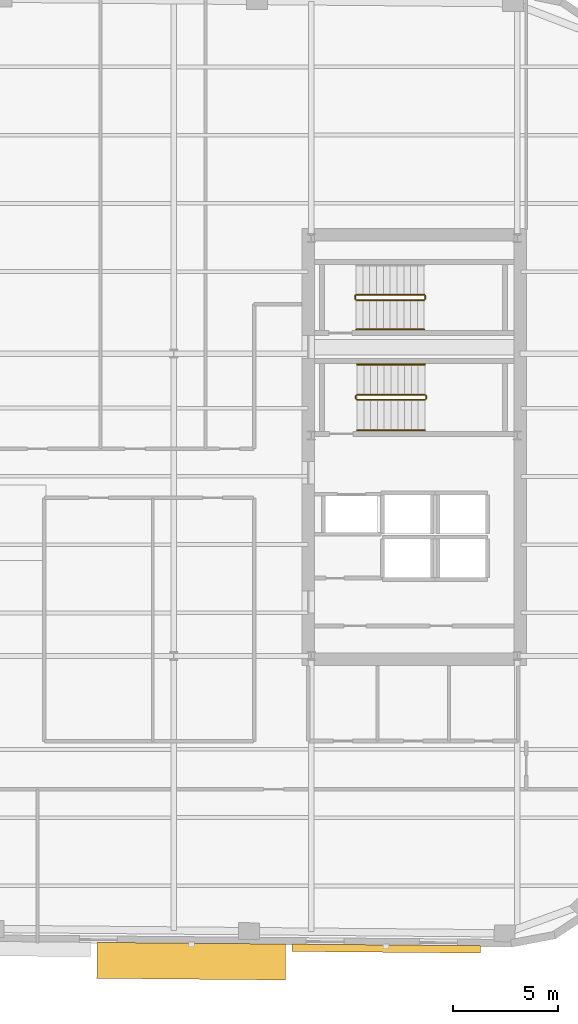
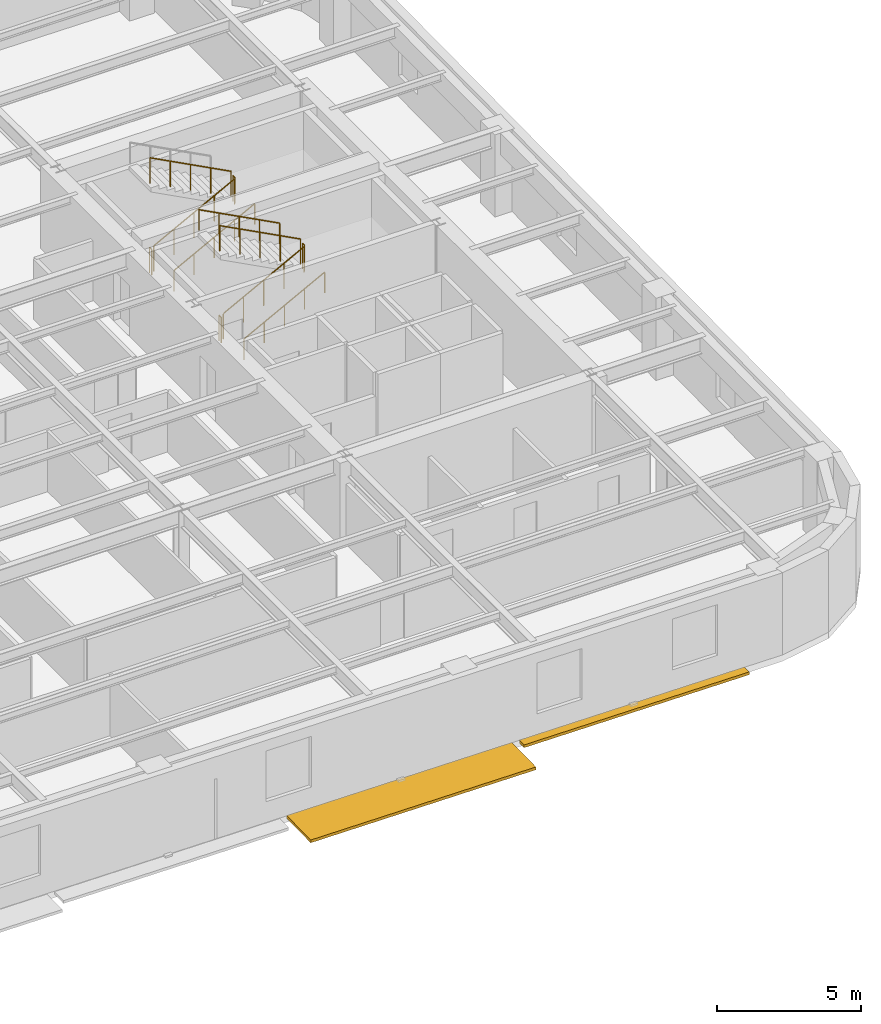
# One storey, part 10 of 11: 11 railings, 2 shading devices.
"""IFC4 building model written with IfcOpenShell, lengths in metres."""

from ifc_helpers import new_model, si_unit, direction, frame, origin, origin_2d, place, context, subcontext, project, spatial, rectangle, circle, extrude, material, type_object, element, save


model = new_model("IFC4")

# Units and contexts
model_context = context("Model", 3, precision=1e-05, world=origin(), true_north=direction((0.0, 1.0)))
body_context = subcontext(model_context, "Body", "Model", "MODEL_VIEW")
ifc_project = project(units=[si_unit("LENGTHUNIT", "METRE"), si_unit("AREAUNIT", "SQUARE_METRE"), si_unit("VOLUMEUNIT", "CUBIC_METRE"), si_unit("PLANEANGLEUNIT", "RADIAN"), si_unit("MASSUNIT", "GRAM", prefix="KILO")], contexts=[model_context])

# Site, building, storey
site_placement = place(None, origin())
site = spatial("IfcSite", under=ifc_project, at=site_placement, CompositionType="ELEMENT")
building_placement = place(site_placement, origin())
building = spatial("IfcBuilding", under=site, at=building_placement, Name="Kolvaren Arena Tower", CompositionType="ELEMENT")
storey_placement = place(building_placement, frame((0.0, 0.0, 180.949951171875)))
storey = spatial("IfcBuildingStorey", under=building, at=storey_placement, Name="L43", CompositionType="ELEMENT", Elevation=180.949951171875)

# Railings
ifc_material_1 = material(Name="Painted galvanized steel", Category="steel")
railing_type_1 = type_object("IfcRailingType", Name="GUARD-ST-110", PredefinedType="GUARDRAIL", material=ifc_material_1)
railing_1_placement = place(storey_placement, frame((52.719970703125, 31.639892578125, 0.17041015625)))
element("IfcRailing", 1, at=railing_1_placement, inside=storey, type_object=railing_type_1, Name="L43 ST-E1 stair guard 1", PredefinedType="GUARDRAIL", context=body_context, shape_type="SweptSolid", body=[
    extrude(circle(Radius=0.02392578125, at=origin_2d()), frame((0.0, 0.0, 1.076171875), z_axis=(0.884993431791, 0.0, 0.465603506952), x_axis=(0.0, 1.0, 0.0)), (0.0, 0.0, 1.0), 3.6611328125),
    extrude(circle(Radius=0.02099609375, at=origin_2d()), origin(), (0.0, 0.0, 1.0), 1.052001953125),
    extrude(circle(Radius=0.02099609375, at=origin_2d()), frame((0.81005859375, 0.0, 0.42626953125)), (0.0, 0.0, 1.0), 1.052001953125),
    extrude(circle(Radius=0.02099609375, at=origin_2d()), frame((1.6201171875, 0.0, 0.852294921875)), (0.0, 0.0, 1.0), 1.052001953125),
    extrude(circle(Radius=0.02099609375, at=origin_2d()), frame((2.429931640625, 0.0, 1.2783203125)), (0.0, 0.0, 1.0), 1.052001953125),
    extrude(circle(Radius=0.02099609375, at=origin_2d()), frame((3.239990234375, 0.0, 1.70458984375)), (0.0, 0.0, 1.0), 1.052001953125),
])
railing_2_placement = place(storey_placement, frame((56.010009765625, 31.68994140625, 1.875)))
element("IfcRailing", 2, at=railing_2_placement, inside=storey, type_object=railing_type_1, Name="L43 ST-E1 stair guard 2", PredefinedType="GUARDRAIL", context=body_context, shape_type="SweptSolid", body=[
    extrude(circle(Radius=0.02392578125, at=origin_2d()), frame((0.0, 0.0, 1.076171875), z_axis=(0.0, 1.0, 0.0), x_axis=(-1.0, 0.0, 0.0)), (0.0, 0.0, 1.0), 0.150146484375),
    extrude(circle(Radius=0.02099609375, at=origin_2d()), origin(), (0.0, 0.0, 1.0), 1.052001953125),
    extrude(circle(Radius=0.02099609375, at=origin_2d()), frame((0.0, 0.150146484375, 0.0)), (0.0, 0.0, 1.0), 1.052001953125),
])
railing_3_placement = place(storey_placement, frame((55.9599609375, 31.889892578125, 2.04541015625)))
element("IfcRailing", 3, at=railing_3_placement, inside=storey, type_object=railing_type_1, Name="L43 ST-E1 stair guard 3", PredefinedType="GUARDRAIL", context=body_context, shape_type="SweptSolid", body=[
    extrude(circle(Radius=0.02392578125, at=origin_2d()), frame((0.0, 0.0, 1.076171875), z_axis=(-0.884993431791, 0.0, 0.465603506952), x_axis=(0.0, -1.0, 0.0)), (0.0, 0.0, 1.0), 3.6611328125),
    extrude(circle(Radius=0.02099609375, at=origin_2d()), origin(), (0.0, 0.0, 1.0), 1.052001953125),
    extrude(circle(Radius=0.02099609375, at=origin_2d()), frame((-0.81005859375, 0.0, 0.42626953125)), (0.0, 0.0, 1.0), 1.052001953125),
    extrude(circle(Radius=0.02099609375, at=origin_2d()), frame((-1.6201171875, 0.0, 0.852294921875)), (0.0, 0.0, 1.0), 1.052001953125),
    extrude(circle(Radius=0.02099609375, at=origin_2d()), frame((-2.429931640625, 0.0, 1.2783203125)), (0.0, 0.0, 1.0), 1.052001953125),
    extrude(circle(Radius=0.02099609375, at=origin_2d()), frame((-3.239990234375, 0.0, 1.70458984375)), (0.0, 0.0, 1.0), 1.052001953125),
])
railing_4_placement = place(storey_placement, frame((52.669921875, 31.68994140625, 0.0)))
element("IfcRailing", 4, at=railing_4_placement, inside=storey, type_object=railing_type_1, Name="L43 ST-E1 stair guard 4", PredefinedType="GUARDRAIL", context=body_context, shape_type="SweptSolid", body=[
    extrude(circle(Radius=0.02392578125, at=origin_2d()), frame((0.0, 0.0, 1.076171875), z_axis=(0.0, 1.0, 0.0), x_axis=(-1.0, 0.0, 0.0)), (0.0, 0.0, 1.0), 0.150146484375),
    extrude(circle(Radius=0.02099609375, at=origin_2d()), origin(), (0.0, 0.0, 1.0), 1.052001953125),
    extrude(circle(Radius=0.02099609375, at=origin_2d()), frame((0.0, 0.150146484375, 0.0)), (0.0, 0.0, 1.0), 1.052001953125),
])
railing_5_placement = place(storey_placement, frame((52.679931640625, 36.39990234375, 0.17041015625)))
element("IfcRailing", 5, at=railing_5_placement, inside=storey, type_object=railing_type_1, Name="L43 ST-E2 stair guard 1", PredefinedType="GUARDRAIL", context=body_context, shape_type="SweptSolid", body=[
    extrude(circle(Radius=0.02392578125, at=origin_2d()), frame((0.0, 0.0, 1.076171875), z_axis=(0.884993431791, 0.0, 0.465603506952), x_axis=(0.0, 1.0, 0.0)), (0.0, 0.0, 1.0), 3.6611328125),
    extrude(circle(Radius=0.02099609375, at=origin_2d()), origin(), (0.0, 0.0, 1.0), 1.052001953125),
    extrude(circle(Radius=0.02099609375, at=origin_2d()), frame((0.81005859375, 0.0, 0.42626953125)), (0.0, 0.0, 1.0), 1.052001953125),
    extrude(circle(Radius=0.02099609375, at=origin_2d()), frame((1.6201171875, 0.0, 0.852294921875)), (0.0, 0.0, 1.0), 1.052001953125),
    extrude(circle(Radius=0.02099609375, at=origin_2d()), frame((2.429931640625, 0.0, 1.2783203125)), (0.0, 0.0, 1.0), 1.052001953125),
    extrude(circle(Radius=0.02099609375, at=origin_2d()), frame((3.239990234375, 0.0, 1.70458984375)), (0.0, 0.0, 1.0), 1.052001953125),
])
railing_6_placement = place(storey_placement, frame((55.969970703125, 36.449951171875, 1.875)))
element("IfcRailing", 6, at=railing_6_placement, inside=storey, type_object=railing_type_1, Name="L43 ST-E2 stair guard 2", PredefinedType="GUARDRAIL", context=body_context, shape_type="SweptSolid", body=[
    extrude(circle(Radius=0.02392578125, at=origin_2d()), frame((0.0, 0.0, 1.076171875), z_axis=(0.0, 1.0, 0.0), x_axis=(-1.0, 0.0, 0.0)), (0.0, 0.0, 1.0), 0.150146484375),
    extrude(circle(Radius=0.02099609375, at=origin_2d()), origin(), (0.0, 0.0, 1.0), 1.052001953125),
    extrude(circle(Radius=0.02099609375, at=origin_2d()), frame((0.0, 0.150146484375, 0.0)), (0.0, 0.0, 1.0), 1.052001953125),
])
railing_7_placement = place(storey_placement, frame((55.919921875, 36.64990234375, 2.04541015625)))
element("IfcRailing", 7, at=railing_7_placement, inside=storey, type_object=railing_type_1, Name="L43 ST-E2 stair guard 3", PredefinedType="GUARDRAIL", context=body_context, shape_type="SweptSolid", body=[
    extrude(circle(Radius=0.02392578125, at=origin_2d()), frame((0.0, 0.0, 1.076171875), z_axis=(-0.884993431791, 0.0, 0.465603506952), x_axis=(0.0, -1.0, 0.0)), (0.0, 0.0, 1.0), 3.6611328125),
    extrude(circle(Radius=0.02099609375, at=origin_2d()), origin(), (0.0, 0.0, 1.0), 1.052001953125),
    extrude(circle(Radius=0.02099609375, at=origin_2d()), frame((-0.81005859375, 0.0, 0.42626953125)), (0.0, 0.0, 1.0), 1.052001953125),
    extrude(circle(Radius=0.02099609375, at=origin_2d()), frame((-1.6201171875, 0.0, 0.852294921875)), (0.0, 0.0, 1.0), 1.052001953125),
    extrude(circle(Radius=0.02099609375, at=origin_2d()), frame((-2.429931640625, 0.0, 1.2783203125)), (0.0, 0.0, 1.0), 1.052001953125),
    extrude(circle(Radius=0.02099609375, at=origin_2d()), frame((-3.239990234375, 0.0, 1.70458984375)), (0.0, 0.0, 1.0), 1.052001953125),
])
railing_8_placement = place(storey_placement, frame((52.6298828125, 36.449951171875, 0.0)))
element("IfcRailing", 8, at=railing_8_placement, inside=storey, type_object=railing_type_1, Name="L43 ST-E2 stair guard 4", PredefinedType="GUARDRAIL", context=body_context, shape_type="SweptSolid", body=[
    extrude(circle(Radius=0.02392578125, at=origin_2d()), frame((0.0, 0.0, 1.076171875), z_axis=(0.0, 1.0, 0.0), x_axis=(-1.0, 0.0, 0.0)), (0.0, 0.0, 1.0), 0.150146484375),
    extrude(circle(Radius=0.02099609375, at=origin_2d()), origin(), (0.0, 0.0, 1.0), 1.052001953125),
    extrude(circle(Radius=0.02099609375, at=origin_2d()), frame((0.0, 0.150146484375, 0.0)), (0.0, 0.0, 1.0), 1.052001953125),
])
ifc_material_2 = material(Name="Brushed stainless steel handrail", Category="steel")
railing_type_2 = type_object("IfcRailingType", Name="HRAIL-900", PredefinedType="HANDRAIL", material=ifc_material_2)
railing_9_placement = place(storey_placement, frame((52.719970703125, 30.199951171875, 0.17041015625)))
element("IfcRailing", 9, at=railing_9_placement, inside=storey, type_object=railing_type_2, Name="L43 ST-E1 stair handrail 1", PredefinedType="HANDRAIL", context=body_context, shape_type="SweptSolid", body=[
    extrude(circle(Radius=0.02392578125, at=origin_2d()), frame((0.0, 0.0, 0.8759765625), z_axis=(0.884993431791, 0.0, 0.465603506952), x_axis=(0.0, 1.0, 0.0)), (0.0, 0.0, 1.0), 3.6611328125),
    extrude(circle(Radius=0.02099609375, at=origin_2d()), origin(), (0.0, 0.0, 1.0), 0.851806640625),
    extrude(circle(Radius=0.02099609375, at=origin_2d()), frame((0.81005859375, 0.0, 0.42626953125)), (0.0, 0.0, 1.0), 0.851806640625),
    extrude(circle(Radius=0.02099609375, at=origin_2d()), frame((1.6201171875, 0.0, 0.852294921875)), (0.0, 0.0, 1.0), 0.851806640625),
    extrude(circle(Radius=0.02099609375, at=origin_2d()), frame((2.429931640625, 0.0, 1.2783203125)), (0.0, 0.0, 1.0), 0.851806640625),
    extrude(circle(Radius=0.02099609375, at=origin_2d()), frame((3.239990234375, 0.0, 1.70458984375)), (0.0, 0.0, 1.0), 0.851806640625),
])
railing_10_placement = place(storey_placement, frame((55.9599609375, 33.330078125, 2.04541015625)))
element("IfcRailing", 10, at=railing_10_placement, inside=storey, type_object=railing_type_2, Name="L43 ST-E1 stair handrail 2", PredefinedType="HANDRAIL", context=body_context, shape_type="SweptSolid", body=[
    extrude(circle(Radius=0.02392578125, at=origin_2d()), frame((0.0, 0.0, 0.8759765625), z_axis=(-0.884993431791, 0.0, 0.465603506952), x_axis=(0.0, -1.0, 0.0)), (0.0, 0.0, 1.0), 3.6611328125),
    extrude(circle(Radius=0.02099609375, at=origin_2d()), origin(), (0.0, 0.0, 1.0), 0.851806640625),
    extrude(circle(Radius=0.02099609375, at=origin_2d()), frame((-0.81005859375, 0.0, 0.42626953125)), (0.0, 0.0, 1.0), 0.851806640625),
    extrude(circle(Radius=0.02099609375, at=origin_2d()), frame((-1.6201171875, 0.0, 0.852294921875)), (0.0, 0.0, 1.0), 0.851806640625),
    extrude(circle(Radius=0.02099609375, at=origin_2d()), frame((-2.429931640625, 0.0, 1.2783203125)), (0.0, 0.0, 1.0), 0.851806640625),
    extrude(circle(Radius=0.02099609375, at=origin_2d()), frame((-3.239990234375, 0.0, 1.70458984375)), (0.0, 0.0, 1.0), 0.851806640625),
])
railing_11_placement = place(storey_placement, frame((52.679931640625, 35.0, 0.17041015625)))
element("IfcRailing", 11, at=railing_11_placement, inside=storey, type_object=railing_type_2, Name="L43 ST-E2 stair handrail 1", PredefinedType="HANDRAIL", context=body_context, shape_type="SweptSolid", body=[
    extrude(circle(Radius=0.02392578125, at=origin_2d()), frame((0.0, 0.0, 0.8759765625), z_axis=(0.884993431791, 0.0, 0.465603506952), x_axis=(0.0, 1.0, 0.0)), (0.0, 0.0, 1.0), 3.6611328125),
    extrude(circle(Radius=0.02099609375, at=origin_2d()), origin(), (0.0, 0.0, 1.0), 0.851806640625),
    extrude(circle(Radius=0.02099609375, at=origin_2d()), frame((0.81005859375, 0.0, 0.42626953125)), (0.0, 0.0, 1.0), 0.851806640625),
    extrude(circle(Radius=0.02099609375, at=origin_2d()), frame((1.6201171875, 0.0, 0.852294921875)), (0.0, 0.0, 1.0), 0.851806640625),
    extrude(circle(Radius=0.02099609375, at=origin_2d()), frame((2.429931640625, 0.0, 1.2783203125)), (0.0, 0.0, 1.0), 0.851806640625),
    extrude(circle(Radius=0.02099609375, at=origin_2d()), frame((3.239990234375, 0.0, 1.70458984375)), (0.0, 0.0, 1.0), 0.851806640625),
])

# Shading devices
ifc_material_3 = material(Name="Architectural precast GFRC and anodised aluminium sunshade", Category="concrete")
shading_device_type_1 = type_object("IfcShadingDeviceType", Name="SHAD-SINE-A", PredefinedType="USERDEFINED", material=ifc_material_3)
shading_device_1_placement = place(storey_placement, frame((54.109130859375, 5.5126953125, -0.139892578125), z_axis=(0.0, 0.0, 1.0), x_axis=(-0.999961923064, 0.008726535498, 0.0)))
element("IfcShadingDevice", 12, at=shading_device_1_placement, inside=storey, type_object=shading_device_type_1, Name="Sinusoidal Slab-Edge Sunshade Louvre (L43)", ObjectType="LOUVRE", PredefinedType="USERDEFINED", context=body_context, shape_type="SweptSolid", body=[
    extrude(rectangle(XDim=8.97998046875, YDim=0.35009765625, at=origin_2d()), origin(), (0.0, 0.0, 1.0), 0.1201171875),
])
shading_device_type_2 = type_object("IfcShadingDeviceType", Name="SHAD-SINE-B", PredefinedType="JALOUSIE", material=ifc_material_3)
shading_device_2_placement = place(storey_placement, frame((44.82373046875, 4.91259765625, -0.139892578125), z_axis=(0.0, 0.0, 1.0), x_axis=(-0.999961923064, 0.008726535498, 0.0)))
element("IfcShadingDevice", 13, at=shading_device_2_placement, inside=storey, type_object=shading_device_type_2, Name="Sinusoidal Slab-Edge Sunshade Louvre (L43)", PredefinedType="JALOUSIE", context=body_context, shape_type="SweptSolid", body=[
    extrude(rectangle(XDim=8.97998046875, YDim=1.711669921875, at=origin_2d()), origin(), (0.0, 0.0, 1.0), 0.1201171875),
])

save(model, "model.ifc")
